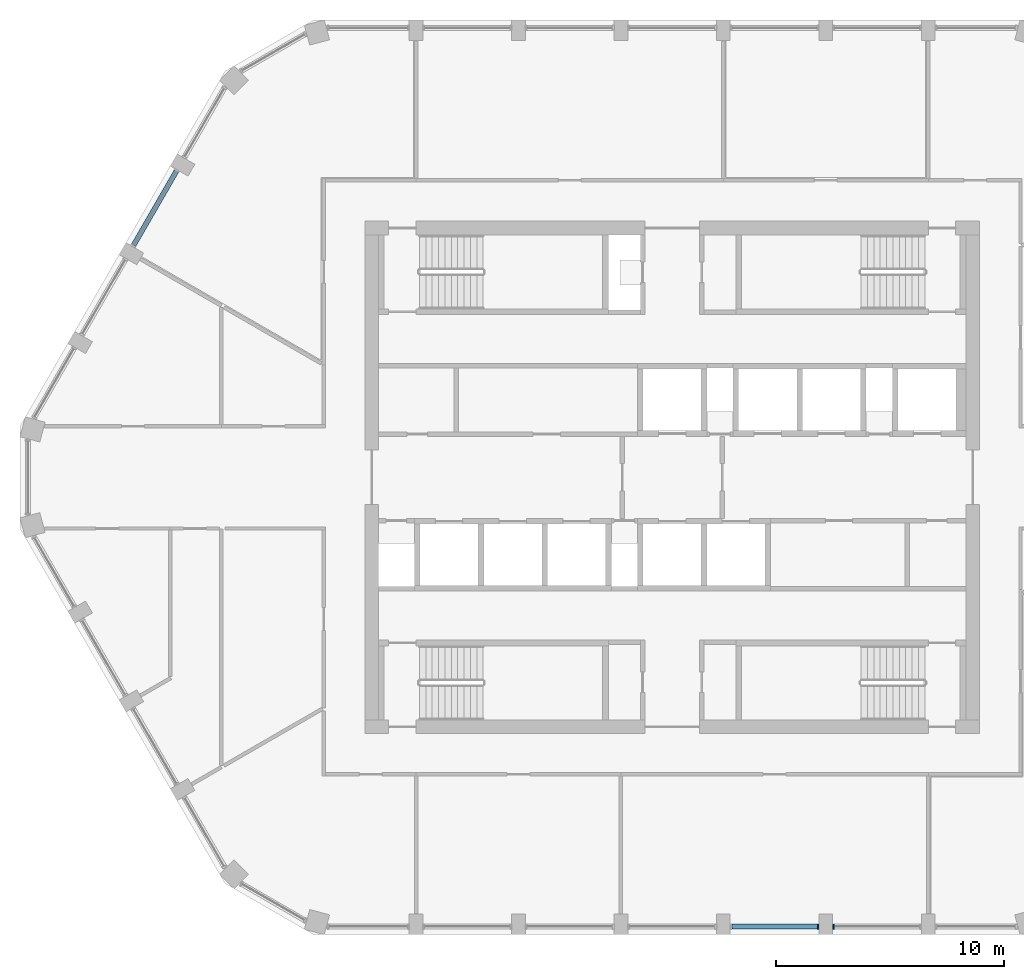
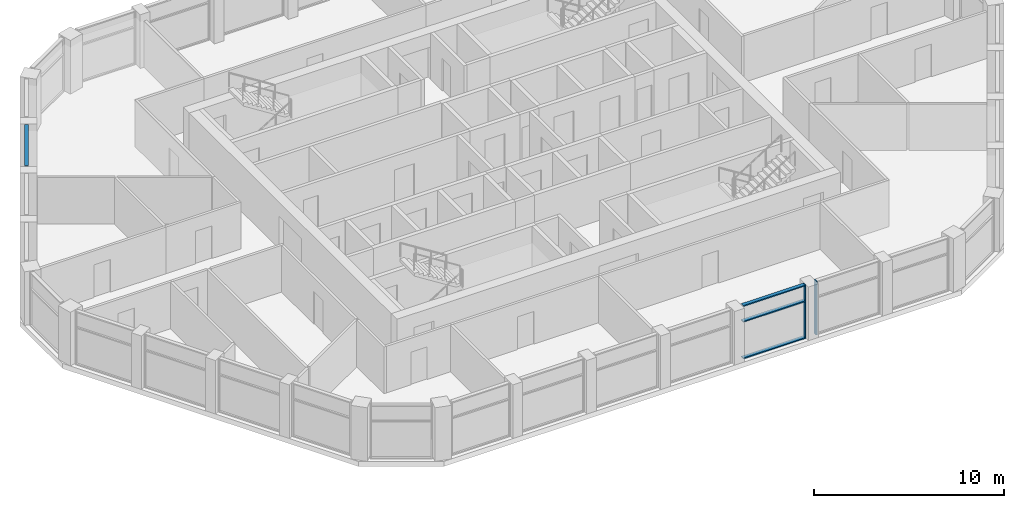
# One storey, part 3 of 15: 6 members, 3 elements without a shape of their own.
"""IFC4 building model written with IfcOpenShell, lengths in metres."""

from ifc_helpers import new_model, si_unit, direction, frame, origin, origin_2d, place, context, subcontext, project, spatial, rectangle, extrude, material, layer, layer_set, material_profile, profile_set, type_object, element, aggregate, save


model = new_model("IFC4")

# Units and contexts
model_context = context("Model", 3, precision=1e-05, world=origin(), true_north=direction((0.0, 1.0)))
body_context = subcontext(model_context, "Body", "Model", "MODEL_VIEW")
ifc_project = project(units=[si_unit("LENGTHUNIT", "METRE"), si_unit("AREAUNIT", "SQUARE_METRE"), si_unit("VOLUMEUNIT", "CUBIC_METRE"), si_unit("PLANEANGLEUNIT", "RADIAN"), si_unit("MASSUNIT", "GRAM", prefix="KILO")], contexts=[model_context])

# Site, building, storey
site_placement = place(None, origin())
site = spatial("IfcSite", under=ifc_project, at=site_placement, CompositionType="ELEMENT")
building_placement = place(site_placement, origin())
building = spatial("IfcBuilding", under=site, at=building_placement, Name="Dhurran Vertical Campus", CompositionType="ELEMENT")
storey_placement = place(building_placement, frame((0.0, 0.0, 306.0)))
storey = spatial("IfcBuildingStorey", under=building, at=storey_placement, Name="L76", CompositionType="ELEMENT", Elevation=306.0)

# Curtain wall, member
ifc_material_1 = material(Name="Aluminium frame with solar-control glass", Category="aluminium")
ifc_layer = layer(ifc_material_1, 0.219970703125)
ifc_layer_set = layer_set([ifc_layer], Name="Aluminium frame with solar-control glass")
curtain_wall_type = type_object("IfcCurtainWallType", Name="Student lounge glazing system", PredefinedType="NOTDEFINED", material=ifc_layer_set)
curtain_wall_1_placement = place(storey_placement, origin())
curtain_wall_1 = element("IfcCurtainWall", 1, at=curtain_wall_1_placement, inside=storey, type_object=curtain_wall_type, Name="CW5 L76.04", PredefinedType="NOTDEFINED")
ifc_material_2 = material(Name="Aluminium mullion", Category="aluminium")
ifc_material_profile_1 = material_profile(ifc_material_2, rectangle(XDim=0.219970703125, YDim=0.070068359375, at=origin_2d()), Name="Student lounge glazing system mullion")
ifc_profile_set_1 = profile_set([ifc_material_profile_1], Name="Aluminium mullion")
member_type_1 = type_object("IfcMemberType", Name="Student lounge glazing system mullion", PredefinedType="MULLION", material=ifc_profile_set_1)
member_1_placement = place(storey_placement, frame((6.41455078125, -19.738525390625, 0.0), z_axis=(0.0, 0.0, 1.0), x_axis=(0.0, 1.0, 0.0)))
member_1 = element("IfcMember", 2, at=member_1_placement, type_object=member_type_1, Name="CW5 mullion 2", PredefinedType="MULLION", context=body_context, shape_type="SweptSolid", body=[
    extrude(rectangle(XDim=0.219970703125, YDim=0.070068359375, at=origin_2d()), origin(), (0.0, 0.0, 1.0), 3.449951171875),
])

curtain_wall_2_placement = place(storey_placement, origin())
curtain_wall_2 = element("IfcCurtainWall", 3, at=curtain_wall_2_placement, inside=storey, type_object=curtain_wall_type, Name="CW5 L76.05", PredefinedType="NOTDEFINED")
member_2_placement = place(storey_placement, frame((7.08544921875, -19.738525390625, 0.0), z_axis=(0.0, 0.0, 1.0), x_axis=(0.0, 1.0, 0.0)))
member_2 = element("IfcMember", 4, at=member_2_placement, type_object=member_type_1, Name="CW5 mullion 1", PredefinedType="MULLION", context=body_context, shape_type="SweptSolid", body=[
    extrude(rectangle(XDim=0.219970703125, YDim=0.070068359375, at=origin_2d()), origin(), (0.0, 0.0, 1.0), 3.449951171875),
])
aggregate(curtain_wall_2, [member_2])

# Member
ifc_material_3 = material(Name="Aluminium transom", Category="aluminium")
ifc_material_profile_2 = material_profile(ifc_material_3, rectangle(XDim=0.219970703125, YDim=0.070068359375, at=origin_2d()), Name="Student lounge glazing system transom")
ifc_profile_set_2 = profile_set([ifc_material_profile_2], Name="Aluminium transom")
member_type_2 = type_object("IfcMemberType", Name="Student lounge glazing system transom", PredefinedType="USERDEFINED", material=ifc_profile_set_2)
member_3_placement = place(storey_placement, frame((2.62060546875, -19.738525390625, 0.034912109375), z_axis=(1.0, 0.0, 0.0), x_axis=(0.0, 1.0, 0.0)))
member_3 = element("IfcMember", 5, at=member_3_placement, type_object=member_type_2, Name="CW5 transom 1.1", ObjectType="TRANSOM", PredefinedType="USERDEFINED", context=body_context, shape_type="SweptSolid", body=[
    extrude(rectangle(XDim=0.219970703125, YDim=0.070068359375, at=origin_2d()), origin(), (0.0, 0.0, 1.0), 3.7587890625),
])

member_4_placement = place(storey_placement, frame((2.62060546875, -19.738525390625, 2.39990234375), z_axis=(1.0, 0.0, 0.0), x_axis=(0.0, 1.0, 0.0)))
member_4 = element("IfcMember", 6, at=member_4_placement, type_object=member_type_2, Name="CW5 transom 1.2", ObjectType="TRANSOM", PredefinedType="USERDEFINED", context=body_context, shape_type="SweptSolid", body=[
    extrude(rectangle(XDim=0.219970703125, YDim=0.070068359375, at=origin_2d()), origin(), (0.0, 0.0, 1.0), 3.7587890625),
])

member_5_placement = place(storey_placement, frame((2.62060546875, -19.738525390625, 3.4150390625), z_axis=(1.0, 0.0, 0.0), x_axis=(0.0, 1.0, 0.0)))
member_5 = element("IfcMember", 7, at=member_5_placement, type_object=member_type_2, Name="CW5 transom 1.3", ObjectType="TRANSOM", PredefinedType="USERDEFINED", context=body_context, shape_type="SweptSolid", body=[
    extrude(rectangle(XDim=0.219970703125, YDim=0.070068359375, at=origin_2d()), origin(), (0.0, 0.0, 1.0), 3.7587890625),
])

aggregate(curtain_wall_1, [member_1, member_3, member_4, member_5])

# Curtain wall, member
curtain_wall_3_placement = place(storey_placement, origin())
curtain_wall_3 = element("IfcCurtainWall", 8, at=curtain_wall_3_placement, inside=storey, type_object=curtain_wall_type, Name="CW5 L76.27", PredefinedType="NOTDEFINED")
member_6_placement = place(storey_placement, frame((-21.779296875, 13.445556640625, 3.4150390625), z_axis=(-0.499981075744, -0.866036329433, 0.0), x_axis=(0.866036329433, -0.499981075744, 0.0)))
member_6 = element("IfcMember", 9, at=member_6_placement, type_object=member_type_2, Name="CW5 transom 1.3", ObjectType="TRANSOM", PredefinedType="USERDEFINED", context=body_context, shape_type="SweptSolid", body=[
    extrude(rectangle(XDim=0.219970703125, YDim=0.070068359375, at=origin_2d()), origin(), (0.0, 0.0, 1.0), 3.759033203125),
])
aggregate(curtain_wall_3, [member_6])

save(model, "model.ifc")
